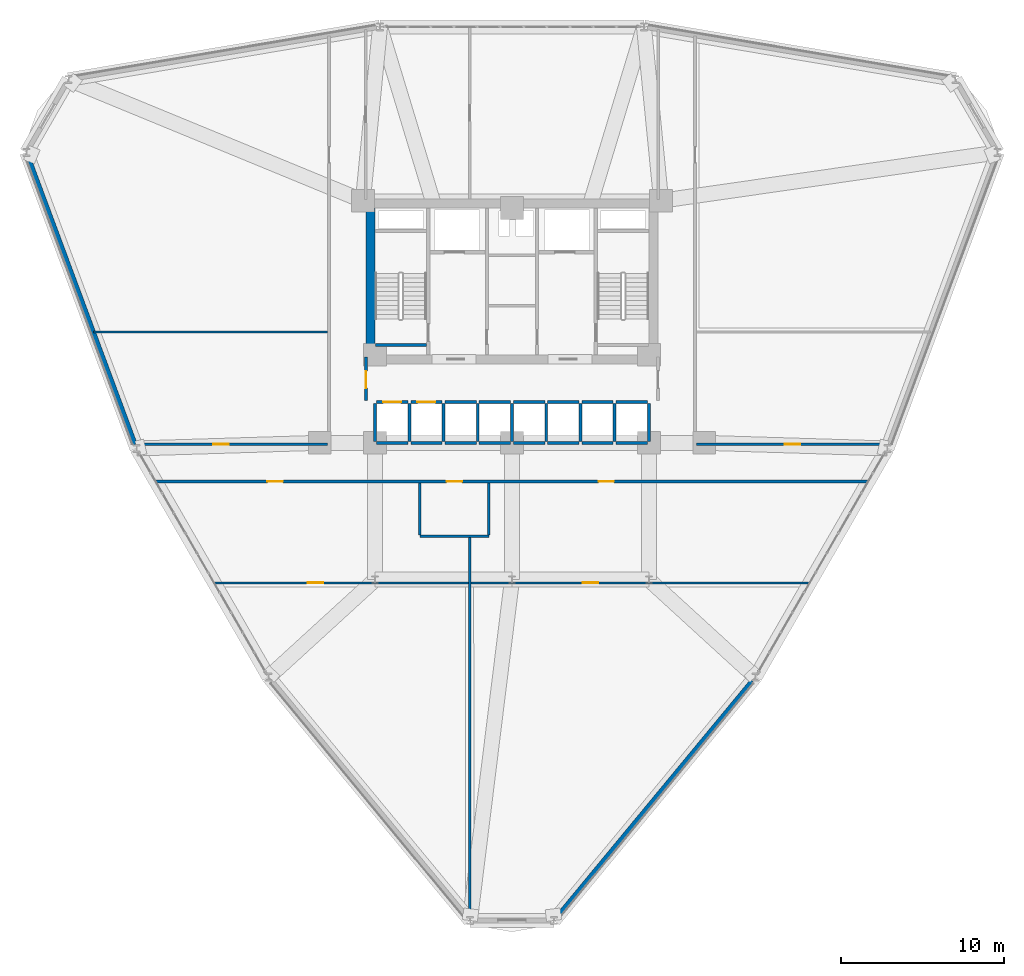
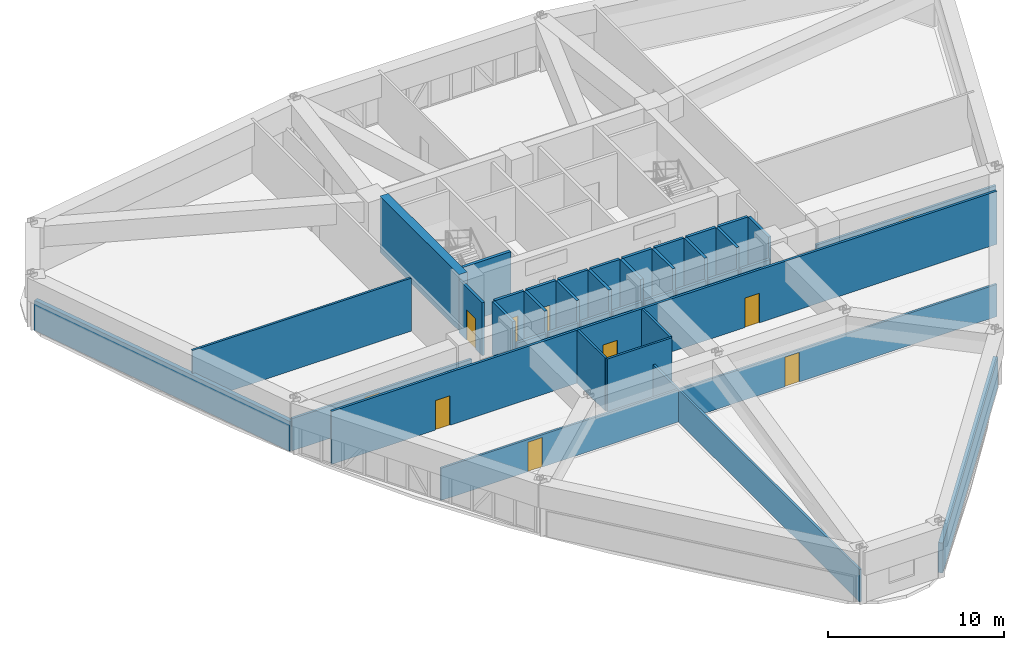
# One storey, part 15 of 20: 39 walls, 10 doors, 10 openings.
"""IFC4 building model written with IfcOpenShell, lengths in metres."""

from ifc_helpers import new_model, si_unit, derived_unit, direction, frame, frame_2d, origin, place, context, subcontext, project, spatial, rectangle, extrude, material, layer, layer_set, type_object, element, fill, save


model = new_model("IFC4")

# Units and contexts
model_context = context("Model", 3, precision=1e-05, world=origin(), true_north=direction((0.0, 1.0)))
body_context = subcontext(model_context, "Body", "Model", "MODEL_VIEW")
ifc_project = project(units=[si_unit("LENGTHUNIT", "METRE"), si_unit("AREAUNIT", "SQUARE_METRE"), si_unit("VOLUMEUNIT", "CUBIC_METRE"), si_unit("PLANEANGLEUNIT", "RADIAN"), si_unit("MASSUNIT", "GRAM", prefix="KILO"), derived_unit("THERMALTRANSMITTANCEUNIT", [(si_unit("POWERUNIT", "WATT"), 1), (si_unit("LENGTHUNIT", "METRE"), -2), (si_unit("THERMODYNAMICTEMPERATUREUNIT", "KELVIN"), -1)])], contexts=[model_context])

# Site, building, storey
site_placement = place(None, origin())
site = spatial("IfcSite", under=ifc_project, at=site_placement, CompositionType="ELEMENT")
building_placement = place(site_placement, origin())
building = spatial("IfcBuilding", under=site, at=building_placement, Name="Korsvarv Bourse and Concert Hall", CompositionType="ELEMENT")
storey_placement = place(building_placement, frame((0.0, 0.0, 31.800048828125)))
storey = spatial("IfcBuildingStorey", under=building, at=storey_placement, Name="L07", CompositionType="ELEMENT", Elevation=31.800048828125)

# Walls
ifc_material_1 = material(Name="Concrete C50/60", Category="concrete")
ifc_layer_1 = layer(ifc_material_1, 0.3798828125)
ifc_layer_set_1 = layer_set([ifc_layer_1], Name="Concrete C50/60")
wall_type_1 = type_object("IfcWallType", Name="WL-CORE-380", PredefinedType="SHEAR", material=ifc_layer_set_1)
wall_1_placement = place(storey_placement, frame((27.610107421875, 38.39990234375, 0.0), z_axis=(0.0, 0.0, 1.0), x_axis=(1.0, 0.0, 0.0)))
element("IfcWall", 1, at=wall_1_placement, inside=storey, type_object=wall_type_1, Name="L07 stair shaft structural wall W-L07-ST1-S", PredefinedType="SHEAR", context=body_context, shape_type="SweptSolid", body=[
    extrude(rectangle(XDim=3.139892578125, YDim=0.199951171875, at=frame_2d((1.56982421875, 0.0))), origin(), (0.0, 0.0, 1.0), 3.89990234375),
])
ifc_material_2 = material(Name="Concrete C60/75", Category="concrete")
ifc_layer_2 = layer(ifc_material_2, 0.550048828125)
ifc_layer_set_2 = layer_set([ifc_layer_2], Name="Concrete C60/75")
wall_type_2 = type_object("IfcWallType", Name="WL-CORE-550", PredefinedType="SHEAR", material=ifc_layer_set_2)
wall_2_placement = place(storey_placement, frame((27.324951171875, 37.800048828125, 0.0), z_axis=(0.0, 0.0, 1.0), x_axis=(0.0, 1.0, 0.0)))
element("IfcWall", 2, at=wall_2_placement, inside=storey, type_object=wall_type_2, Name="L07 West Core Shear Wall", PredefinedType="SHEAR", context=body_context, shape_type="SweptSolid", body=[
    extrude(rectangle(XDim=9.0, YDim=0.550048828125, at=frame_2d((4.5, 0.0))), origin(), (0.0, 0.0, 1.0), 3.89990234375),
])
ifc_material_3 = material(Name="Precast concrete C45/55 with fluted terracotta pier", Category="concrete")
ifc_layer_3 = layer(ifc_material_3, 0.280029296875)
ifc_layer_set_3 = layer_set([ifc_layer_3], Name="Precast concrete C45/55 with fluted terracotta pier")
wall_type_3 = type_object("IfcWallType", Name="WL-EXT-TC2", PredefinedType="SOLIDWALL", material=ifc_layer_set_3)
wall_3_placement = place(storey_placement, frame((6.301513671875, 49.97509765625, 0.0), z_axis=(0.0, 0.0, 1.0), x_axis=(0.348763587367, -0.937210734108, 0.0)))
element("IfcWall", 3, at=wall_3_placement, inside=storey, type_object=wall_type_3, Name="L07 terracotta exterior wall EW-L07-B06", PredefinedType="SOLIDWALL", context=body_context, shape_type="SweptSolid", body=[
    extrude(rectangle(XDim=18.86328125, YDim=0.280029296875, at=frame_2d((9.431640625, 0.0))), origin(), (0.0, 0.0, 1.0), 2.079833984375),
])
wall_4_placement = place(storey_placement, frame((38.781982421875, 3.335693359375, 0.0), z_axis=(0.0, 0.0, 1.0), x_axis=(0.637262575447, 0.770646747826, 0.0)))
element("IfcWall", 4, at=wall_4_placement, inside=storey, type_object=wall_type_3, Name="L07 terracotta exterior wall EW-L07-B10", PredefinedType="SOLIDWALL", context=body_context, shape_type="SweptSolid", body=[
    extrude(rectangle(XDim=18.751953125, YDim=0.280029296875, at=frame_2d((9.3759765625, 0.0))), origin(), (0.0, 0.0, 1.0), 2.079833984375),
])

# Wall, opening, door
ifc_material_4 = material(Name="Double-stud fire-rated acoustic partition", Category="gypsum")
ifc_layer_4 = layer(ifc_material_4, 0.159912109375)
ifc_layer_set_4 = layer_set([ifc_layer_4], Name="Double-stud fire-rated acoustic partition")
wall_type_4 = type_object("IfcWallType", Name="WL-INT-EI60", PredefinedType="PARTITIONING", material=ifc_layer_set_4)
wall_5_placement = place(storey_placement, frame((27.0400390625, 35.0, 0.0), z_axis=(0.0, 0.0, 1.0), x_axis=(0.0, 1.0, 0.0)))
wall_5 = element("IfcWall", 5, at=wall_5_placement, inside=storey, type_object=wall_type_4, Name="L07 interior partition wall W-L07-LOB-W", PredefinedType="PARTITIONING", context=body_context, shape_type="SweptSolid", body=[
    extrude(rectangle(XDim=2.64990234375, YDim=0.159912109375, at=frame_2d((1.324951171875, 0.0))), origin(), (0.0, 0.0, 1.0), 3.679931640625),
])
opening_1_placement = place(wall_5_placement, frame((0.75, 0.0, 0.0)))
opening_1 = element("IfcOpeningElement", 6, at=opening_1_placement, cuts=wall_5, Name="Opening D-01", PredefinedType="OPENING", context=body_context, shape_type="SweptSolid", body=[
    extrude(rectangle(XDim=1.050048828125, YDim=2.10009765625, at=frame_2d((0.52490234375, 1.050048828125))), frame((0.0, 0.08984375, 0.0), z_axis=(0.0, -1.0, 0.0), x_axis=(1.0, 0.0, 0.0)), (0.0, 0.0, 1.0), 0.179931640625),
])
ifc_material_5 = material(Name="Steel S355 fire door", Category="steel")
door_type_1 = type_object("IfcDoorType", Name="DR-FD60", OperationType="NOTDEFINED", PredefinedType="DOOR", material=ifc_material_5)
door_1_placement = place(opening_1_placement, frame((1.050048828125, 0.0, 0.0), z_axis=(0.0, 0.0, 1.0), x_axis=(-1.0, 0.0, 0.0)))
door_1 = element("IfcDoor", 7, at=door_1_placement, inside=storey, type_object=door_type_1, Name="L07 interior door DR-L07-LOBW", OperationType="SINGLE_SWING_LEFT", OverallHeight=2.10009765625, OverallWidth=1.050048828125, PredefinedType="DOOR", context=body_context, shape_type="SweptSolid", body=[
    extrude(rectangle(XDim=1.050048828125, YDim=2.10009765625, at=frame_2d((0.52490234375, 1.050048828125))), frame((0.0, 0.02490234375, 0.0), z_axis=(0.0, -1.0, 0.0), x_axis=(1.0, 0.0, 0.0)), (0.0, 0.0, 1.0), 0.050048828125),
])
fill(opening_1, door_1)

# Wall, openings, doors
wall_6_placement = place(storey_placement, frame((14.162109375, 30.02490234375, 0.0), z_axis=(0.0, 0.0, 1.0), x_axis=(1.0, 0.0, 0.0)))
wall_6 = element("IfcWall", 8, at=wall_6_placement, inside=storey, type_object=wall_type_4, Name="L07 interior partition wall W-L07-TCOR-01", PredefinedType="PARTITIONING", context=body_context, shape_type="SweptSolid", body=[
    extrude(rectangle(XDim=43.67578125, YDim=0.159912109375, at=frame_2d((21.837890625, 0.0))), origin(), (0.0, 0.0, 1.0), 3.679931640625),
])
opening_2_placement = place(wall_6_placement, frame((17.822998046875, 0.0, 0.0)))
opening_2 = element("IfcOpeningElement", 9, at=opening_2_placement, cuts=wall_6, Name="Opening D-02", PredefinedType="OPENING", context=body_context, shape_type="SweptSolid", body=[
    extrude(rectangle(XDim=0.949951171875, YDim=2.050048828125, at=frame_2d((0.47509765625, 1.02490234375))), frame((0.0, 0.08984375, 0.0), z_axis=(0.0, -1.0, 0.0), x_axis=(1.0, 0.0, 0.0)), (0.0, 0.0, 1.0), 0.179931640625),
])
opening_3_placement = place(wall_6_placement, frame((6.824462890625, 0.0, 0.0)))
opening_3 = element("IfcOpeningElement", 10, at=opening_3_placement, cuts=wall_6, Name="Opening D-02", PredefinedType="OPENING", context=body_context, shape_type="SweptSolid", body=[
    extrude(rectangle(XDim=0.949951171875, YDim=2.050048828125, at=frame_2d((0.47509765625, 1.02490234375))), frame((0.0, 0.08984375, 0.0), z_axis=(0.0, -1.0, 0.0), x_axis=(1.0, 0.0, 0.0)), (0.0, 0.0, 1.0), 0.179931640625),
])
opening_4_placement = place(wall_6_placement, frame((27.14599609375, 0.0, 0.0)))
opening_4 = element("IfcOpeningElement", 11, at=opening_4_placement, cuts=wall_6, Name="Opening D-02", PredefinedType="OPENING", context=body_context, shape_type="SweptSolid", body=[
    extrude(rectangle(XDim=0.949951171875, YDim=2.050048828125, at=frame_2d((0.47509765625, 1.02490234375))), frame((0.0, 0.08984375, 0.0), z_axis=(0.0, -1.0, 0.0), x_axis=(1.0, 0.0, 0.0)), (0.0, 0.0, 1.0), 0.179931640625),
])
ifc_material_6 = material(Name="Timber and steel acoustic fire door", Category="wood")
door_type_2 = type_object("IfcDoorType", Name="DR-FD30", OperationType="NOTDEFINED", PredefinedType="DOOR", material=ifc_material_6)
door_2_placement = place(opening_2_placement, origin())
door_2 = element("IfcDoor", 12, at=door_2_placement, inside=storey, type_object=door_type_2, Name="L07 interior door DR-L07-TCOR-RWC", OperationType="SINGLE_SWING_LEFT", OverallHeight=2.050048828125, OverallWidth=0.949951171875, PredefinedType="DOOR", context=body_context, shape_type="SweptSolid", body=[
    extrude(rectangle(XDim=0.949951171875, YDim=2.050048828125, at=frame_2d((0.47509765625, 1.02490234375))), frame((0.0, 0.02490234375, 0.0), z_axis=(0.0, -1.0, 0.0), x_axis=(1.0, 0.0, 0.0)), (0.0, 0.0, 1.0), 0.050048828125),
])
fill(opening_2, door_2)
door_3_placement = place(opening_3_placement, origin())
door_3 = element("IfcDoor", 13, at=door_3_placement, inside=storey, type_object=door_type_2, Name="L07 interior door DR-L07-TCOR-EQ15", OperationType="SINGLE_SWING_RIGHT", OverallHeight=2.050048828125, OverallWidth=0.949951171875, PredefinedType="DOOR", context=body_context, shape_type="SweptSolid", body=[
    extrude(rectangle(XDim=0.949951171875, YDim=2.050048828125, at=frame_2d((0.47509765625, 1.02490234375))), frame((0.0, 0.02490234375, 0.0), z_axis=(0.0, -1.0, 0.0), x_axis=(1.0, 0.0, 0.0)), (0.0, 0.0, 1.0), 0.050048828125),
])
fill(opening_3, door_3)
door_4_placement = place(opening_4_placement, origin())
door_4 = element("IfcDoor", 14, at=door_4_placement, inside=storey, type_object=door_type_2, Name="L07 interior door DR-L07-TCOR-EQ26", OperationType="SINGLE_SWING_LEFT", OverallHeight=2.050048828125, OverallWidth=0.949951171875, PredefinedType="DOOR", context=body_context, shape_type="SweptSolid", body=[
    extrude(rectangle(XDim=0.949951171875, YDim=2.050048828125, at=frame_2d((0.47509765625, 1.02490234375))), frame((0.0, 0.02490234375, 0.0), z_axis=(0.0, -1.0, 0.0), x_axis=(1.0, 0.0, 0.0)), (0.0, 0.0, 1.0), 0.050048828125),
])
fill(opening_4, door_4)

# Wall, opening, door
wall_7_placement = place(storey_placement, frame((12.893310546875, 32.31494140625, 0.0), z_axis=(0.0, 0.0, 1.0), x_axis=(1.0, 0.0, 0.0)))
wall_7 = element("IfcWall", 15, at=wall_7_placement, inside=storey, type_object=wall_type_4, Name="L07 interior partition wall W-L07-TCOR-04", PredefinedType="PARTITIONING", context=body_context, shape_type="SweptSolid", body=[
    extrude(rectangle(XDim=11.7998046875, YDim=0.159912109375, at=frame_2d((5.89990234375, 0.0))), origin(), (0.0, 0.0, 1.0), 2.239990234375),
])
opening_5_placement = place(wall_7_placement, frame((4.78662109375, 0.0, 0.0)))
opening_5 = element("IfcOpeningElement", 16, at=opening_5_placement, cuts=wall_7, Name="Opening D-02", PredefinedType="OPENING", context=body_context, shape_type="SweptSolid", body=[
    extrude(rectangle(XDim=0.949951171875, YDim=2.050048828125, at=frame_2d((0.47509765625, 1.02490234375))), frame((0.0, 0.08984375, 0.0), z_axis=(0.0, -1.0, 0.0), x_axis=(1.0, 0.0, 0.0)), (0.0, 0.0, 1.0), 0.179931640625),
])
door_5_placement = place(opening_5_placement, origin())
door_5 = element("IfcDoor", 17, at=door_5_placement, inside=storey, type_object=door_type_2, Name="L07 interior door DR-L07-TCOR-EQ59", OperationType="SINGLE_SWING_RIGHT", OverallHeight=2.050048828125, OverallWidth=0.949951171875, PredefinedType="DOOR", context=body_context, shape_type="SweptSolid", body=[
    extrude(rectangle(XDim=0.949951171875, YDim=2.050048828125, at=frame_2d((0.47509765625, 1.02490234375))), frame((0.0, 0.02490234375, 0.0), z_axis=(0.0, -1.0, 0.0), x_axis=(1.0, 0.0, 0.0)), (0.0, 0.0, 1.0), 0.050048828125),
])
fill(opening_5, door_5)

wall_8_placement = place(storey_placement, frame((47.306884765625, 32.31494140625, 0.0), z_axis=(0.0, 0.0, 1.0), x_axis=(1.0, 0.0, 0.0)))
wall_8 = element("IfcWall", 18, at=wall_8_placement, inside=storey, type_object=wall_type_4, Name="L07 interior partition wall W-L07-TCOR-05", PredefinedType="PARTITIONING", context=body_context, shape_type="SweptSolid", body=[
    extrude(rectangle(XDim=11.7998046875, YDim=0.159912109375, at=frame_2d((5.89990234375, 0.0))), origin(), (0.0, 0.0, 1.0), 2.239990234375),
])
opening_6_placement = place(wall_8_placement, frame((5.4248046875, 0.0, 0.0)))
opening_6 = element("IfcOpeningElement", 19, at=opening_6_placement, cuts=wall_8, Name="Opening D-02", PredefinedType="OPENING", context=body_context, shape_type="SweptSolid", body=[
    extrude(rectangle(XDim=0.949951171875, YDim=2.050048828125, at=frame_2d((0.47509765625, 1.02490234375))), frame((0.0, 0.08984375, 0.0), z_axis=(0.0, -1.0, 0.0), x_axis=(1.0, 0.0, 0.0)), (0.0, 0.0, 1.0), 0.179931640625),
])
door_6_placement = place(opening_6_placement, origin())
door_6 = element("IfcDoor", 20, at=door_6_placement, inside=storey, type_object=door_type_2, Name="L07 interior door DR-L07-TCOR-EQ71", OperationType="SINGLE_SWING_LEFT", OverallHeight=2.050048828125, OverallWidth=0.949951171875, PredefinedType="DOOR", context=body_context, shape_type="SweptSolid", body=[
    extrude(rectangle(XDim=0.949951171875, YDim=2.050048828125, at=frame_2d((0.47509765625, 1.02490234375))), frame((0.0, 0.02490234375, 0.0), z_axis=(0.0, -1.0, 0.0), x_axis=(1.0, 0.0, 0.0)), (0.0, 0.0, 1.0), 0.050048828125),
])
fill(opening_6, door_6)

ifc_material_7 = material(Name="Gypsum-clad autoclaved concrete shaft wall C30/37", Category="concrete")
ifc_layer_5 = layer(ifc_material_7, 0.179931640625)
ifc_layer_set_5 = layer_set([ifc_layer_5], Name="Gypsum-clad autoclaved concrete shaft wall C30/37")
wall_type_5 = type_object("IfcWallType", Name="WL-INT-EI90", PredefinedType="PARTITIONING", material=ifc_layer_set_5)
wall_9_placement = place(storey_placement, frame((27.68994140625, 34.89990234375, 0.0), z_axis=(0.0, 0.0, 1.0), x_axis=(1.0, 0.0, 0.0)))
wall_9 = element("IfcWall", 21, at=wall_9_placement, inside=storey, type_object=wall_type_5, Name="L07 interior partition wall W-L07-SHFN-PL1", PredefinedType="PARTITIONING", context=body_context, shape_type="SweptSolid", body=[
    extrude(rectangle(XDim=1.920166015625, YDim=0.179931640625, at=frame_2d((0.9599609375, 0.0))), origin(), (0.0, 0.0, 1.0), 3.679931640625),
])
opening_7_placement = place(wall_9_placement, frame((0.409912109375, 0.0, 0.0)))
opening_7 = element("IfcOpeningElement", 22, at=opening_7_placement, cuts=wall_9, Name="Opening LD-2", PredefinedType="OPENING", context=body_context, shape_type="SweptSolid", body=[
    extrude(rectangle(XDim=1.10009765625, YDim=2.10009765625, at=frame_2d((0.550048828125, 1.050048828125))), frame((0.0, 0.10009765625, 0.0), z_axis=(0.0, -1.0, 0.0), x_axis=(1.0, 0.0, 0.0)), (0.0, 0.0, 1.0), 0.199951171875),
])
ifc_material_8 = material(Name="Brushed stainless Steel S355 lift landing door", Category="steel")
door_type_3 = type_object("IfcDoorType", Name="DR-LIFT-P", OperationType="DOUBLE_DOOR_SLIDING", PredefinedType="DOOR", material=ifc_material_8)
door_7_placement = place(opening_7_placement, origin())
door_7 = element("IfcDoor", 23, at=door_7_placement, inside=storey, type_object=door_type_3, Name="L07 lift sliding landing door LD-L07-PL1", OperationType="DOUBLE_DOOR_SLIDING", OverallHeight=2.10009765625, OverallWidth=1.10009765625, PredefinedType="DOOR", context=body_context, shape_type="SweptSolid", body=[
    extrude(rectangle(XDim=1.10009765625, YDim=2.10009765625, at=frame_2d((0.550048828125, 1.050048828125))), frame((0.0, 0.02490234375, 0.0), z_axis=(0.0, -1.0, 0.0), x_axis=(1.0, 0.0, 0.0)), (0.0, 0.0, 1.0), 0.050048828125),
])
fill(opening_7, door_7)

# Walls
wall_10_placement = place(storey_placement, frame((27.68994140625, 32.39990234375, 0.0), z_axis=(0.0, 0.0, 1.0), x_axis=(1.0, 0.0, 0.0)))
element("IfcWall", 24, at=wall_10_placement, inside=storey, type_object=wall_type_5, Name="L07 interior partition wall W-L07-SHFS-PL1", PredefinedType="PARTITIONING", context=body_context, shape_type="SweptSolid", body=[
    extrude(rectangle(XDim=1.920166015625, YDim=0.179931640625, at=frame_2d((0.9599609375, 0.0))), origin(), (0.0, 0.0, 1.0), 2.239990234375),
])
wall_11_placement = place(storey_placement, frame((27.60009765625, 32.489990234375, 0.0), z_axis=(0.0, 0.0, 1.0), x_axis=(0.0, 1.0, 0.0)))
element("IfcWall", 25, at=wall_11_placement, inside=storey, type_object=wall_type_5, Name="L07 interior partition wall W-L07-SHFW-PL1", PredefinedType="PARTITIONING", context=body_context, shape_type="SweptSolid", body=[
    extrude(rectangle(XDim=2.320068359375, YDim=0.179931640625, at=frame_2d((1.16015625, 0.0))), origin(), (0.0, 0.0, 1.0), 3.679931640625),
])

# Wall, opening, door
wall_12_placement = place(storey_placement, frame((29.7900390625, 34.89990234375, 0.0), z_axis=(0.0, 0.0, 1.0), x_axis=(1.0, 0.0, 0.0)))
wall_12 = element("IfcWall", 26, at=wall_12_placement, inside=storey, type_object=wall_type_5, Name="L07 interior partition wall W-L07-SHFN-PL2", PredefinedType="PARTITIONING", context=body_context, shape_type="SweptSolid", body=[
    extrude(rectangle(XDim=1.919921875, YDim=0.179931640625, at=frame_2d((0.9599609375, 0.0))), origin(), (0.0, 0.0, 1.0), 3.679931640625),
])
opening_8_placement = place(wall_12_placement, frame((0.409912109375, 0.0, 0.0)))
opening_8 = element("IfcOpeningElement", 27, at=opening_8_placement, cuts=wall_12, Name="Opening LD-2", PredefinedType="OPENING", context=body_context, shape_type="SweptSolid", body=[
    extrude(rectangle(XDim=1.10009765625, YDim=2.10009765625, at=frame_2d((0.550048828125, 1.050048828125))), frame((0.0, 0.10009765625, 0.0), z_axis=(0.0, -1.0, 0.0), x_axis=(1.0, 0.0, 0.0)), (0.0, 0.0, 1.0), 0.199951171875),
])
door_8_placement = place(opening_8_placement, origin())
door_8 = element("IfcDoor", 28, at=door_8_placement, inside=storey, type_object=door_type_3, Name="L07 lift sliding landing door LD-L07-PL2", OperationType="DOUBLE_DOOR_SLIDING", OverallHeight=2.10009765625, OverallWidth=1.10009765625, PredefinedType="DOOR", context=body_context, shape_type="SweptSolid", body=[
    extrude(rectangle(XDim=1.10009765625, YDim=2.10009765625, at=frame_2d((0.550048828125, 1.050048828125))), frame((0.0, 0.02490234375, 0.0), z_axis=(0.0, -1.0, 0.0), x_axis=(1.0, 0.0, 0.0)), (0.0, 0.0, 1.0), 0.050048828125),
])
fill(opening_8, door_8)

# Walls
wall_13_placement = place(storey_placement, frame((29.7900390625, 32.39990234375, 0.0), z_axis=(0.0, 0.0, 1.0), x_axis=(1.0, 0.0, 0.0)))
element("IfcWall", 29, at=wall_13_placement, inside=storey, type_object=wall_type_5, Name="L07 interior partition wall W-L07-SHFS-PL2", PredefinedType="PARTITIONING", context=body_context, shape_type="SweptSolid", body=[
    extrude(rectangle(XDim=1.919921875, YDim=0.179931640625, at=frame_2d((0.9599609375, 0.0))), origin(), (0.0, 0.0, 1.0), 2.239990234375),
])
wall_14_placement = place(storey_placement, frame((29.699951171875, 32.489990234375, 0.0), z_axis=(0.0, 0.0, 1.0), x_axis=(0.0, 1.0, 0.0)))
element("IfcWall", 30, at=wall_14_placement, inside=storey, type_object=wall_type_5, Name="L07 interior partition wall W-L07-SHFW-PL2", PredefinedType="PARTITIONING", context=body_context, shape_type="SweptSolid", body=[
    extrude(rectangle(XDim=2.320068359375, YDim=0.179931640625, at=frame_2d((1.16015625, 0.0))), origin(), (0.0, 0.0, 1.0), 3.679931640625),
])
wall_15_placement = place(storey_placement, frame((31.889892578125, 34.89990234375, 0.0), z_axis=(0.0, 0.0, 1.0), x_axis=(1.0, 0.0, 0.0)))
element("IfcWall", 31, at=wall_15_placement, inside=storey, type_object=wall_type_5, Name="L07 interior partition wall W-L07-SHFN-PM1", PredefinedType="PARTITIONING", context=body_context, shape_type="SweptSolid", body=[
    extrude(rectangle(XDim=1.920166015625, YDim=0.179931640625, at=frame_2d((0.9599609375, 0.0))), origin(), (0.0, 0.0, 1.0), 3.679931640625),
])
wall_16_placement = place(storey_placement, frame((31.889892578125, 32.39990234375, 0.0), z_axis=(0.0, 0.0, 1.0), x_axis=(1.0, 0.0, 0.0)))
element("IfcWall", 32, at=wall_16_placement, inside=storey, type_object=wall_type_5, Name="L07 interior partition wall W-L07-SHFS-PM1", PredefinedType="PARTITIONING", context=body_context, shape_type="SweptSolid", body=[
    extrude(rectangle(XDim=1.920166015625, YDim=0.179931640625, at=frame_2d((0.9599609375, 0.0))), origin(), (0.0, 0.0, 1.0), 2.239990234375),
])
wall_17_placement = place(storey_placement, frame((31.800048828125, 32.489990234375, 0.0), z_axis=(0.0, 0.0, 1.0), x_axis=(0.0, 1.0, 0.0)))
element("IfcWall", 33, at=wall_17_placement, inside=storey, type_object=wall_type_5, Name="L07 interior partition wall W-L07-SHFW-PM1", PredefinedType="PARTITIONING", context=body_context, shape_type="SweptSolid", body=[
    extrude(rectangle(XDim=2.320068359375, YDim=0.179931640625, at=frame_2d((1.16015625, 0.0))), origin(), (0.0, 0.0, 1.0), 3.679931640625),
])
wall_18_placement = place(storey_placement, frame((33.989990234375, 34.89990234375, 0.0), z_axis=(0.0, 0.0, 1.0), x_axis=(1.0, 0.0, 0.0)))
element("IfcWall", 34, at=wall_18_placement, inside=storey, type_object=wall_type_5, Name="L07 interior partition wall W-L07-SHFN-PM2", PredefinedType="PARTITIONING", context=body_context, shape_type="SweptSolid", body=[
    extrude(rectangle(XDim=1.919921875, YDim=0.179931640625, at=frame_2d((0.9599609375, 0.0))), origin(), (0.0, 0.0, 1.0), 3.679931640625),
])
wall_19_placement = place(storey_placement, frame((33.989990234375, 32.39990234375, 0.0), z_axis=(0.0, 0.0, 1.0), x_axis=(1.0, 0.0, 0.0)))
element("IfcWall", 35, at=wall_19_placement, inside=storey, type_object=wall_type_5, Name="L07 interior partition wall W-L07-SHFS-PM2", PredefinedType="PARTITIONING", context=body_context, shape_type="SweptSolid", body=[
    extrude(rectangle(XDim=1.919921875, YDim=0.179931640625, at=frame_2d((0.9599609375, 0.0))), origin(), (0.0, 0.0, 1.0), 2.239990234375),
])
wall_20_placement = place(storey_placement, frame((33.89990234375, 32.489990234375, 0.0), z_axis=(0.0, 0.0, 1.0), x_axis=(0.0, 1.0, 0.0)))
element("IfcWall", 36, at=wall_20_placement, inside=storey, type_object=wall_type_5, Name="L07 interior partition wall W-L07-SHFW-PM2", PredefinedType="PARTITIONING", context=body_context, shape_type="SweptSolid", body=[
    extrude(rectangle(XDim=2.320068359375, YDim=0.179931640625, at=frame_2d((1.16015625, 0.0))), origin(), (0.0, 0.0, 1.0), 3.679931640625),
])
wall_21_placement = place(storey_placement, frame((36.090087890625, 34.89990234375, 0.0), z_axis=(0.0, 0.0, 1.0), x_axis=(1.0, 0.0, 0.0)))
element("IfcWall", 37, at=wall_21_placement, inside=storey, type_object=wall_type_5, Name="L07 interior partition wall W-L07-SHFN-PH1", PredefinedType="PARTITIONING", context=body_context, shape_type="SweptSolid", body=[
    extrude(rectangle(XDim=1.919921875, YDim=0.179931640625, at=frame_2d((0.9599609375, 0.0))), origin(), (0.0, 0.0, 1.0), 3.679931640625),
])
wall_22_placement = place(storey_placement, frame((36.090087890625, 32.39990234375, 0.0), z_axis=(0.0, 0.0, 1.0), x_axis=(1.0, 0.0, 0.0)))
element("IfcWall", 38, at=wall_22_placement, inside=storey, type_object=wall_type_5, Name="L07 interior partition wall W-L07-SHFS-PH1", PredefinedType="PARTITIONING", context=body_context, shape_type="SweptSolid", body=[
    extrude(rectangle(XDim=1.919921875, YDim=0.179931640625, at=frame_2d((0.9599609375, 0.0))), origin(), (0.0, 0.0, 1.0), 2.239990234375),
])
wall_23_placement = place(storey_placement, frame((36.0, 32.489990234375, 0.0), z_axis=(0.0, 0.0, 1.0), x_axis=(0.0, 1.0, 0.0)))
element("IfcWall", 39, at=wall_23_placement, inside=storey, type_object=wall_type_5, Name="L07 interior partition wall W-L07-SHFW-PH1", PredefinedType="PARTITIONING", context=body_context, shape_type="SweptSolid", body=[
    extrude(rectangle(XDim=2.320068359375, YDim=0.179931640625, at=frame_2d((1.16015625, 0.0))), origin(), (0.0, 0.0, 1.0), 3.679931640625),
])
wall_24_placement = place(storey_placement, frame((38.18994140625, 34.89990234375, 0.0), z_axis=(0.0, 0.0, 1.0), x_axis=(1.0, 0.0, 0.0)))
element("IfcWall", 40, at=wall_24_placement, inside=storey, type_object=wall_type_5, Name="L07 interior partition wall W-L07-SHFN-PH2", PredefinedType="PARTITIONING", context=body_context, shape_type="SweptSolid", body=[
    extrude(rectangle(XDim=1.920166015625, YDim=0.179931640625, at=frame_2d((0.9599609375, 0.0))), origin(), (0.0, 0.0, 1.0), 3.679931640625),
])
wall_25_placement = place(storey_placement, frame((38.18994140625, 32.39990234375, 0.0), z_axis=(0.0, 0.0, 1.0), x_axis=(1.0, 0.0, 0.0)))
element("IfcWall", 41, at=wall_25_placement, inside=storey, type_object=wall_type_5, Name="L07 interior partition wall W-L07-SHFS-PH2", PredefinedType="PARTITIONING", context=body_context, shape_type="SweptSolid", body=[
    extrude(rectangle(XDim=1.920166015625, YDim=0.179931640625, at=frame_2d((0.9599609375, 0.0))), origin(), (0.0, 0.0, 1.0), 2.239990234375),
])
wall_26_placement = place(storey_placement, frame((38.10009765625, 32.489990234375, 0.0), z_axis=(0.0, 0.0, 1.0), x_axis=(0.0, 1.0, 0.0)))
element("IfcWall", 42, at=wall_26_placement, inside=storey, type_object=wall_type_5, Name="L07 interior partition wall W-L07-SHFW-PH2", PredefinedType="PARTITIONING", context=body_context, shape_type="SweptSolid", body=[
    extrude(rectangle(XDim=2.320068359375, YDim=0.179931640625, at=frame_2d((1.16015625, 0.0))), origin(), (0.0, 0.0, 1.0), 3.679931640625),
])
wall_27_placement = place(storey_placement, frame((40.2900390625, 34.89990234375, 0.0), z_axis=(0.0, 0.0, 1.0), x_axis=(1.0, 0.0, 0.0)))
element("IfcWall", 43, at=wall_27_placement, inside=storey, type_object=wall_type_5, Name="L07 interior partition wall W-L07-SHFN-PO1", PredefinedType="PARTITIONING", context=body_context, shape_type="SweptSolid", body=[
    extrude(rectangle(XDim=1.919921875, YDim=0.179931640625, at=frame_2d((0.9599609375, 0.0))), origin(), (0.0, 0.0, 1.0), 3.679931640625),
])
wall_28_placement = place(storey_placement, frame((40.2900390625, 32.39990234375, 0.0), z_axis=(0.0, 0.0, 1.0), x_axis=(1.0, 0.0, 0.0)))
element("IfcWall", 44, at=wall_28_placement, inside=storey, type_object=wall_type_5, Name="L07 interior partition wall W-L07-SHFS-PO1", PredefinedType="PARTITIONING", context=body_context, shape_type="SweptSolid", body=[
    extrude(rectangle(XDim=1.919921875, YDim=0.179931640625, at=frame_2d((0.9599609375, 0.0))), origin(), (0.0, 0.0, 1.0), 2.239990234375),
])
wall_29_placement = place(storey_placement, frame((40.199951171875, 32.489990234375, 0.0), z_axis=(0.0, 0.0, 1.0), x_axis=(0.0, 1.0, 0.0)))
element("IfcWall", 45, at=wall_29_placement, inside=storey, type_object=wall_type_5, Name="L07 interior partition wall W-L07-SHFW-PO1", PredefinedType="PARTITIONING", context=body_context, shape_type="SweptSolid", body=[
    extrude(rectangle(XDim=2.320068359375, YDim=0.179931640625, at=frame_2d((1.16015625, 0.0))), origin(), (0.0, 0.0, 1.0), 3.679931640625),
])
wall_30_placement = place(storey_placement, frame((42.389892578125, 34.89990234375, 0.0), z_axis=(0.0, 0.0, 1.0), x_axis=(1.0, 0.0, 0.0)))
element("IfcWall", 46, at=wall_30_placement, inside=storey, type_object=wall_type_5, Name="L07 interior partition wall W-L07-SHFN-PO2", PredefinedType="PARTITIONING", context=body_context, shape_type="SweptSolid", body=[
    extrude(rectangle(XDim=1.920166015625, YDim=0.179931640625, at=frame_2d((0.9599609375, 0.0))), origin(), (0.0, 0.0, 1.0), 3.679931640625),
])
wall_31_placement = place(storey_placement, frame((42.389892578125, 32.39990234375, 0.0), z_axis=(0.0, 0.0, 1.0), x_axis=(1.0, 0.0, 0.0)))
element("IfcWall", 47, at=wall_31_placement, inside=storey, type_object=wall_type_5, Name="L07 interior partition wall W-L07-SHFS-PO2", PredefinedType="PARTITIONING", context=body_context, shape_type="SweptSolid", body=[
    extrude(rectangle(XDim=1.920166015625, YDim=0.179931640625, at=frame_2d((0.9599609375, 0.0))), origin(), (0.0, 0.0, 1.0), 2.239990234375),
])
for number, where, z_axis, x_axis, name in (
    (48, (42.300048828125, 32.489990234375, 0.0), (0.0, 0.0, 1.0), (0.0, 1.0, 0.0), "L07 interior partition wall W-L07-SHFW-PO2"),
    (49, (44.39990234375, 32.489990234375, 0.0), (0.0, 0.0, 1.0), (0.0, 1.0, 0.0), "L07 interior partition wall W-L07-SHFE-END"),
):
    element("IfcWall", number, at=place(storey_placement, frame(where, z_axis=z_axis, x_axis=x_axis)), inside=storey, type_object=wall_type_5, Name=name, PredefinedType="PARTITIONING", context=body_context, shape_type="SweptSolid", body=[
        extrude(rectangle(XDim=2.320068359375, YDim=0.179931640625, at=frame_2d((1.16015625, 0.0))), origin(), (0.0, 0.0, 1.0), 3.679931640625),
    ])

# Wall, openings, doors
ifc_material_9 = material(Name="Insulated steel-stud office acoustic partition", Category="gypsum")
ifc_layer_6 = layer(ifc_material_9, 0.139892578125)
ifc_layer_set_6 = layer_set([ifc_layer_6], Name="Insulated steel-stud office acoustic partition")
wall_type_6 = type_object("IfcWallType", Name="WL-INT-P1", PredefinedType="PARTITIONING", material=ifc_layer_set_6)
wall_32_placement = place(storey_placement, frame((17.753173828125, 23.804931640625, 0.0), z_axis=(0.0, 0.0, 1.0), x_axis=(1.0, 0.0, 0.0)))
wall_32 = element("IfcWall", 50, at=wall_32_placement, inside=storey, type_object=wall_type_6, Name="L07 interior partition wall W-L07-TCOR-08", PredefinedType="PARTITIONING", context=body_context, shape_type="SweptSolid", body=[
    extrude(rectangle(XDim=36.49365234375, YDim=0.139892578125, at=frame_2d((18.246826171875, 0.0))), origin(), (0.0, 0.0, 1.0), 2.239990234375),
])
opening_9_placement = place(wall_32_placement, frame((5.70361328125, 0.0, 0.0)))
opening_9 = element("IfcOpeningElement", 51, at=opening_9_placement, cuts=wall_32, Name="Opening D-03", PredefinedType="OPENING", context=body_context, shape_type="SweptSolid", body=[
    extrude(rectangle(XDim=0.949951171875, YDim=2.050048828125, at=frame_2d((0.47509765625, 1.02490234375))), frame((0.0, 0.080078125, 0.0), z_axis=(0.0, -1.0, 0.0), x_axis=(1.0, 0.0, 0.0)), (0.0, 0.0, 1.0), 0.159912109375),
])
opening_10_placement = place(wall_32_placement, frame((22.593017578125, 0.0, 0.0)))
opening_10 = element("IfcOpeningElement", 52, at=opening_10_placement, cuts=wall_32, Name="Opening D-03", PredefinedType="OPENING", context=body_context, shape_type="SweptSolid", body=[
    extrude(rectangle(XDim=0.949951171875, YDim=2.050048828125, at=frame_2d((0.47509765625, 1.02490234375))), frame((0.0, 0.080078125, 0.0), z_axis=(0.0, -1.0, 0.0), x_axis=(1.0, 0.0, 0.0)), (0.0, 0.0, 1.0), 0.159912109375),
])
ifc_material_10 = material(Name="Nordic oak acoustic office door", Category="wood")
door_type_4 = type_object("IfcDoorType", Name="DR-INT-1", OperationType="NOTDEFINED", PredefinedType="DOOR", material=ifc_material_10)
door_9_placement = place(opening_9_placement, origin())
door_9 = element("IfcDoor", 53, at=door_9_placement, inside=storey, type_object=door_type_4, Name="L07 interior door DR-L07-TCOR-EQ33", OperationType="SINGLE_SWING_LEFT", OverallHeight=2.050048828125, OverallWidth=0.949951171875, PredefinedType="DOOR", context=body_context, shape_type="SweptSolid", body=[
    extrude(rectangle(XDim=0.949951171875, YDim=2.050048828125, at=frame_2d((0.47509765625, 1.02490234375))), frame((0.0, 0.02490234375, 0.0), z_axis=(0.0, -1.0, 0.0), x_axis=(1.0, 0.0, 0.0)), (0.0, 0.0, 1.0), 0.050048828125),
])
fill(opening_9, door_9)
door_10_placement = place(opening_10_placement, origin())
door_10 = element("IfcDoor", 54, at=door_10_placement, inside=storey, type_object=door_type_4, Name="L07 interior door DR-L07-TCOR-EQ44", OperationType="SINGLE_SWING_RIGHT", OverallHeight=2.050048828125, OverallWidth=0.949951171875, PredefinedType="DOOR", context=body_context, shape_type="SweptSolid", body=[
    extrude(rectangle(XDim=0.949951171875, YDim=2.050048828125, at=frame_2d((0.47509765625, 1.02490234375))), frame((0.0, 0.02490234375, 0.0), z_axis=(0.0, -1.0, 0.0), x_axis=(1.0, 0.0, 0.0)), (0.0, 0.0, 1.0), 0.050048828125),
])
fill(opening_10, door_10)

# Walls
wall_33_placement = place(storey_placement, frame((33.405029296875, 3.12939453125, 0.0), z_axis=(0.0, 0.0, 1.0), x_axis=(0.0, 1.0, 0.0)))
element("IfcWall", 55, at=wall_33_placement, inside=storey, type_object=wall_type_6, Name="L07 interior partition wall W-L07-TCOR-09", PredefinedType="PARTITIONING", context=body_context, shape_type="SweptSolid", body=[
    extrude(rectangle(XDim=23.560546875, YDim=0.139892578125, at=frame_2d((11.7802734375, 0.0))), origin(), (0.0, 0.0, 1.0), 2.239990234375),
])
wall_34_placement = place(storey_placement, frame((10.329345703125, 39.205078125, 0.0), z_axis=(0.0, 0.0, 1.0), x_axis=(1.0, 0.0, 0.0)))
element("IfcWall", 56, at=wall_34_placement, inside=storey, type_object=wall_type_6, Name="L07 interior partition wall W-L07-TCOR-10", PredefinedType="PARTITIONING", context=body_context, shape_type="SweptSolid", body=[
    extrude(rectangle(XDim=14.36376953125, YDim=0.139892578125, at=frame_2d((7.181884765625, 0.0))), origin(), (0.0, 0.0, 1.0), 3.679931640625),
])
wall_35_placement = place(storey_placement, frame((30.340087890625, 26.675048828125, 0.0), z_axis=(0.0, 0.0, 1.0), x_axis=(1.0, 0.0, 0.0)))
element("IfcWall", 57, at=wall_35_placement, inside=storey, type_object=wall_type_6, Name="L07 interior partition wall W-L07-TCOR-13", PredefinedType="PARTITIONING", context=body_context, shape_type="SweptSolid", body=[
    extrude(rectangle(XDim=4.239990234375, YDim=0.139892578125, at=frame_2d((2.1201171875, 0.0))), origin(), (0.0, 0.0, 1.0), 3.679931640625),
])
for number, where, z_axis, x_axis, name in (
    (58, (30.344970703125, 26.7470703125, 0.0), (0.0, 0.0, 1.0), (0.0, 1.0, 0.0), "L07 interior partition wall W-L07-TCOR-14"),
    (59, (34.574951171875, 26.7470703125, 0.0), (0.0, 0.0, 1.0), (0.0, 1.0, 0.0), "L07 interior partition wall W-L07-TCOR-15"),
):
    element("IfcWall", number, at=place(storey_placement, frame(where, z_axis=z_axis, x_axis=x_axis)), inside=storey, type_object=wall_type_6, Name=name, PredefinedType="PARTITIONING", context=body_context, shape_type="SweptSolid", body=[
        extrude(rectangle(XDim=3.196044921875, YDim=0.139892578125, at=frame_2d((1.59814453125, 0.0))), origin(), (0.0, 0.0, 1.0), 3.679931640625),
    ])

save(model, "model.ifc")
